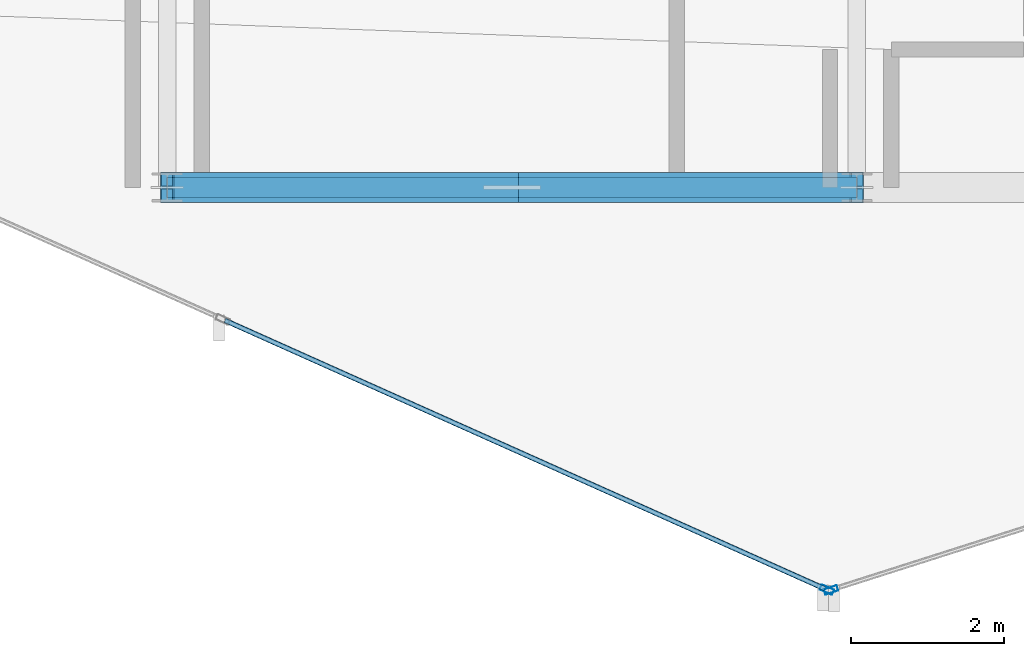
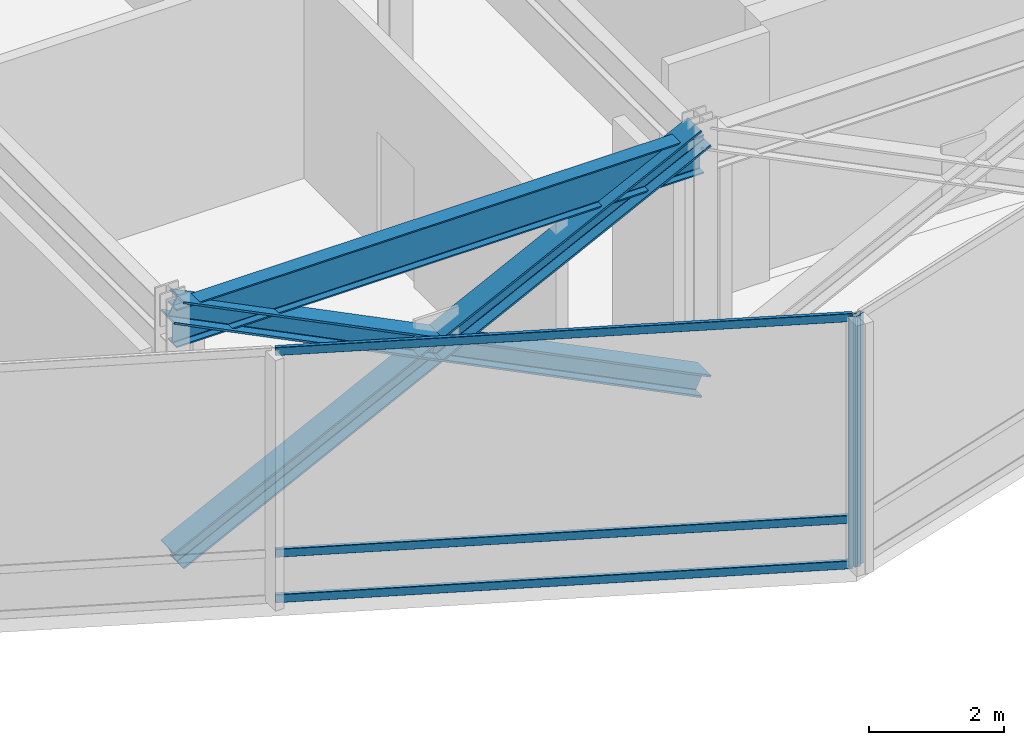
# One storey, part 3 of 23: 8 members, 1 beam, 2 elements without a shape of their own.
"""IFC4 building model written with IfcOpenShell, lengths in metres."""

from ifc_helpers import new_model, si_unit, direction, frame, origin, origin_2d, place, context, subcontext, project, spatial, hollow_rectangle, i_section, extrude, material, layer, layer_set, material_profile, profile_set, type_object, element, aggregate, save


model = new_model("IFC4")

# Units and contexts
model_context = context("Model", 3, precision=1e-05, world=origin(), true_north=direction((0.0, 1.0)))
body_context = subcontext(model_context, "Body", "Model", "MODEL_VIEW")
ifc_project = project(units=[si_unit("LENGTHUNIT", "METRE"), si_unit("AREAUNIT", "SQUARE_METRE"), si_unit("VOLUMEUNIT", "CUBIC_METRE"), si_unit("PLANEANGLEUNIT", "RADIAN"), si_unit("MASSUNIT", "GRAM", prefix="KILO")], contexts=[model_context])

# Site, building, storey
site_placement = place(None, origin())
site = spatial("IfcSite", under=ifc_project, at=site_placement, CompositionType="ELEMENT")
building_placement = place(site_placement, origin())
building = spatial("IfcBuilding", under=site, at=building_placement, Name="Solvaryn Broadcast Tower", CompositionType="ELEMENT")
storey_placement = place(building_placement, frame((0.0, 0.0, 285.199951171875)))
storey = spatial("IfcBuildingStorey", under=building, at=storey_placement, Name="L72", CompositionType="ELEMENT", Elevation=285.199951171875)

# Beam
ifc_material_1 = material(Name="Steel ASTM A992 Grade 50", Category="steel")
ifc_material_profile_1 = material_profile(ifc_material_1, i_section(OverallWidth=0.256103515625, OverallDepth=0.693115234375, WebThickness=0.014404296875, FlangeThickness=0.023681640625, FilletRadius=0.01611328125, at=origin_2d()))
ifc_profile_set_1 = profile_set([ifc_material_profile_1], Name="Steel ASTM A992 Grade 50")
beam_type = type_object("IfcBeamType", Name="BM-SP3-W27X114", PredefinedType="USERDEFINED", material=ifc_profile_set_1)
beam_placement = place(storey_placement, frame((18.0, 9.0, 4.173583984375), z_axis=(1.0, 0.0, 0.0), x_axis=(0.0, 1.0, 0.0)))
element("IfcBeam", 1, at=beam_placement, inside=storey, type_object=beam_type, Name="L72 Spandrel Beam X (18-27 @ Y=9)", ObjectType="SPANDREL", PredefinedType="USERDEFINED", context=body_context, shape_type="SweptSolid", body=[
    extrude(i_section(OverallWidth=0.256103515625, OverallDepth=0.693115234375, WebThickness=0.014404296875, FlangeThickness=0.023681640625, FilletRadius=0.01611328125, at=origin_2d()), origin(), (0.0, 0.0, 1.0), 9.0),
])

# Curtain wall, member
ifc_material_2 = material(Name="Aluminium and Terracotta Unitised Curtain Wall", Category="masonry")
ifc_layer = layer(ifc_material_2, 0.199951171875)
ifc_layer_set = layer_set([ifc_layer], Name="CW-SYS2-LOWMID")
curtain_wall_type = type_object("IfcCurtainWallType", Name="CW-SYS2-LOWMID", PredefinedType="NOTDEFINED", material=ifc_layer_set)
curtain_wall_1_placement = place(storey_placement, origin())
curtain_wall_1 = element("IfcCurtainWall", 2, at=curtain_wall_1_placement, inside=storey, type_object=curtain_wall_type, Name="L72 Curtain Wall DR3", PredefinedType="NOTDEFINED")
ifc_material_3 = material(Name="Anodised Aluminium 6063-T6", Category="aluminium")
ifc_material_profile_2 = material_profile(ifc_material_3, hollow_rectangle(XDim=0.074951171875, YDim=0.179931640625, WallThickness=0.00390625, InnerFilletRadius=0.00390625, OuterFilletRadius=0.008056640625, at=origin_2d()))
ifc_profile_set_2 = profile_set([ifc_material_profile_2], Name="Anodised Aluminium 6063-T6")
member_type_1 = type_object("IfcMemberType", Name="CW-MUL-180", PredefinedType="MULLION", material=ifc_profile_set_2)
member_1_placement = place(storey_placement, frame((26.608642578125, 3.750244140625, 0.0), z_axis=(0.0, 0.0, 1.0), x_axis=(0.408466010682, 0.912773530574, 0.0)))
member_1 = element("IfcMember", 3, at=member_1_placement, type_object=member_type_1, Name="CWS2 mullion 3", PredefinedType="MULLION", context=body_context, shape_type="SweptSolid", body=[
    extrude(hollow_rectangle(XDim=0.074951171875, YDim=0.179931640625, WallThickness=0.00390625, InnerFilletRadius=0.00390625, OuterFilletRadius=0.008056640625, at=origin_2d()), origin(), (0.0, 0.0, 1.0), 4.52001953125),
])

curtain_wall_2_placement = place(storey_placement, origin())
curtain_wall_2 = element("IfcCurtainWall", 4, at=curtain_wall_2_placement, inside=storey, type_object=curtain_wall_type, Name="L72 Curtain Wall DR4", PredefinedType="NOTDEFINED")
member_2_placement = place(storey_placement, frame((26.66455078125, 3.7470703125, 0.0), z_axis=(0.0, 0.0, 1.0), x_axis=(-0.30361564569, 0.952794594701, 0.0)))
member_2 = element("IfcMember", 5, at=member_2_placement, type_object=member_type_1, Name="CWS2 mullion 1", PredefinedType="MULLION", context=body_context, shape_type="SweptSolid", body=[
    extrude(hollow_rectangle(XDim=0.074951171875, YDim=0.179931640625, WallThickness=0.00390625, InnerFilletRadius=0.00390625, OuterFilletRadius=0.008056640625, at=origin_2d()), origin(), (0.0, 0.0, 1.0), 4.52001953125),
])
aggregate(curtain_wall_2, [member_2])

# Member
ifc_material_4 = material(Name="Anodised Aluminium 6063-T6", Category="aluminium")
ifc_material_profile_3 = material_profile(ifc_material_4, hollow_rectangle(XDim=0.06494140625, YDim=0.14990234375, WallThickness=0.00390625, InnerFilletRadius=0.00390625, OuterFilletRadius=0.008056640625, at=origin_2d()))
ifc_profile_set_3 = profile_set([ifc_material_profile_3], Name="Anodised Aluminium 6063-T6")
member_type_2 = type_object("IfcMemberType", Name="CW-TRN-150", PredefinedType="USERDEFINED", material=ifc_profile_set_3)
member_3_placement = place(storey_placement, frame((18.75390625, 7.26513671875, 0.030029296875), z_axis=(0.91277663463, -0.408459074172, 0.0), x_axis=(0.408459074172, 0.91277663463, 0.0)))
member_3 = element("IfcMember", 6, at=member_3_placement, type_object=member_type_2, Name="CWS2 transom 2.1", ObjectType="TRANSOM", PredefinedType="USERDEFINED", context=body_context, shape_type="SweptSolid", body=[
    extrude(hollow_rectangle(XDim=0.06494140625, YDim=0.14990234375, WallThickness=0.00390625, InnerFilletRadius=0.00390625, OuterFilletRadius=0.008056640625, at=origin_2d()), origin(), (0.0, 0.0, 1.0), 8.575439453125),
])

member_4_placement = place(storey_placement, frame((18.75390625, 7.26513671875, 0.85009765625), z_axis=(0.91277663463, -0.408459074172, 0.0), x_axis=(0.408459074172, 0.91277663463, 0.0)))
member_4 = element("IfcMember", 7, at=member_4_placement, type_object=member_type_2, Name="CWS2 transom 2.2", ObjectType="TRANSOM", PredefinedType="USERDEFINED", context=body_context, shape_type="SweptSolid", body=[
    extrude(hollow_rectangle(XDim=0.06494140625, YDim=0.14990234375, WallThickness=0.00390625, InnerFilletRadius=0.00390625, OuterFilletRadius=0.008056640625, at=origin_2d()), origin(), (0.0, 0.0, 1.0), 8.575439453125),
])

member_5_placement = place(storey_placement, frame((18.75390625, 7.26513671875, 4.489990234375), z_axis=(0.91277663463, -0.408459074172, 0.0), x_axis=(0.408459074172, 0.91277663463, 0.0)))
member_5 = element("IfcMember", 8, at=member_5_placement, type_object=member_type_2, Name="CWS2 transom 2.3", ObjectType="TRANSOM", PredefinedType="USERDEFINED", context=body_context, shape_type="SweptSolid", body=[
    extrude(hollow_rectangle(XDim=0.06494140625, YDim=0.14990234375, WallThickness=0.00390625, InnerFilletRadius=0.00390625, OuterFilletRadius=0.008056640625, at=origin_2d()), origin(), (0.0, 0.0, 1.0), 8.575439453125),
])

aggregate(curtain_wall_1, [member_1, member_3, member_4, member_5])

# Members
ifc_material_5 = material(Name="Steel ASTM A913 Grade 65", Category="steel")
ifc_material_profile_4 = material_profile(ifc_material_5, i_section(OverallWidth=0.39697265625, OverallDepth=0.386962890625, WebThickness=0.02099609375, FlangeThickness=0.033203125, FilletRadius=0.014892578125, at=origin_2d()))
ifc_profile_set_4 = profile_set([ifc_material_profile_4], Name="Steel ASTM A913 Grade 65")
member_type_3 = type_object("IfcMemberType", Name="MB-BELT-2", PredefinedType="BRACE", material=ifc_profile_set_4)
member_6_placement = place(storey_placement, frame((18.0, 9.0, 0.02001953125), z_axis=(0.895222302563, 0.0, 0.44561982563), x_axis=(0.0, 1.0, 0.0)))
element("IfcMember", 9, at=member_6_placement, inside=storey, type_object=member_type_3, Name="L72 South Belt X-Brace 3 Continuous Diagonal", PredefinedType="BRACE", context=body_context, shape_type="SweptSolid", body=[
    extrude(i_section(OverallWidth=0.39697265625, OverallDepth=0.386962890625, WebThickness=0.02099609375, FlangeThickness=0.033203125, FilletRadius=0.014892578125, at=origin_2d()), origin(), (0.0, 0.0, 1.0), 10.053466796875),
])
for number, where, z_axis, x_axis, name in (
    (10, (27.0, 9.0, 0.02001953125), (-0.895222302563, 0.0, 0.44561982563), (0.0, -1.0, 0.0), "L72 South Belt X-Brace 3 Split Diagonal Lower"),
    (11, (22.5, 9.0, 2.260009765625), (-0.895222302563, 0.0, 0.44561982563), (0.0, -1.0, 0.0), "L72 South Belt X-Brace 3 Split Diagonal Upper"),
):
    element("IfcMember", number, at=place(storey_placement, frame(where, z_axis=z_axis, x_axis=x_axis)), inside=storey, type_object=member_type_3, Name=name, PredefinedType="BRACE", context=body_context, shape_type="SweptSolid", body=[
        extrude(i_section(OverallWidth=0.39697265625, OverallDepth=0.386962890625, WebThickness=0.02099609375, FlangeThickness=0.033203125, FilletRadius=0.014892578125, at=origin_2d()), origin(), (0.0, 0.0, 1.0), 5.026611328125),
    ])

save(model, "model.ifc")
